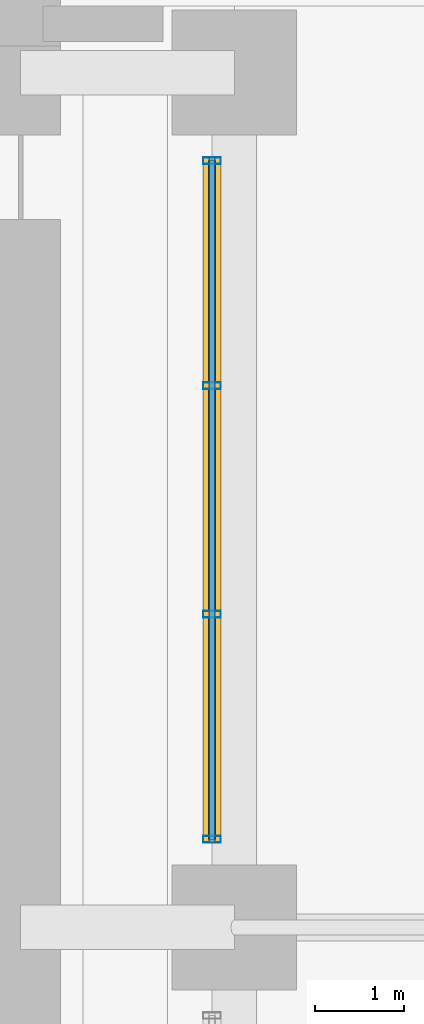
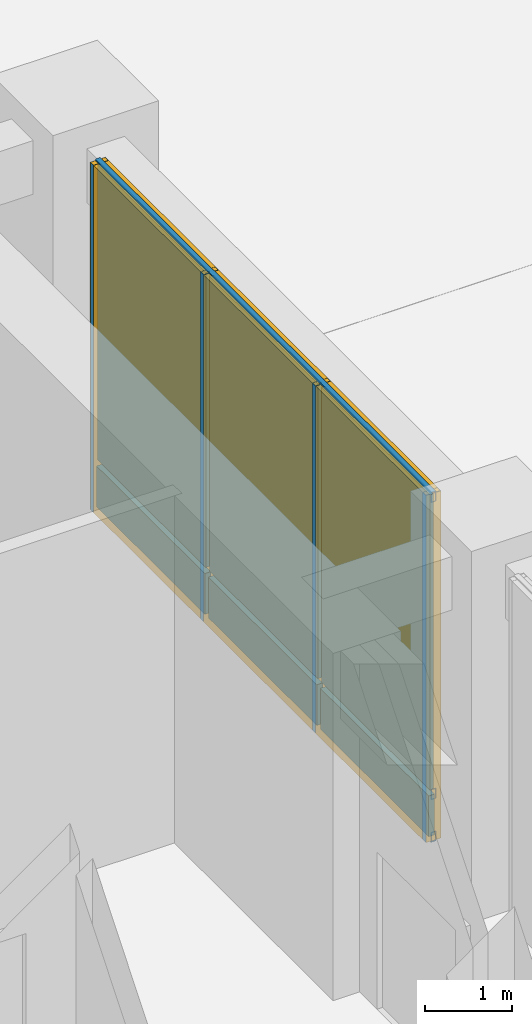
# One storey, part 11 of 24: 7 members, 6 plates, 1 curtain wall.
"""IFC4 building model written with IfcOpenShell, lengths in metres."""

from ifc_helpers import new_model, si_unit, direction, frame, frame_2d, origin, origin_2d, place, context, subcontext, project, spatial, rectangle, hollow_rectangle, extrude, material, layer, layer_set, material_profile, profile_set, type_object, element, aggregate, save


model = new_model("IFC4")

# Units and contexts
model_context = context("Model", 3, precision=1e-05, world=origin(), true_north=direction((0.0, 1.0)))
body_context = subcontext(model_context, "Body", "Model", "MODEL_VIEW")
ifc_project = project(units=[si_unit("LENGTHUNIT", "METRE"), si_unit("AREAUNIT", "SQUARE_METRE"), si_unit("VOLUMEUNIT", "CUBIC_METRE"), si_unit("PLANEANGLEUNIT", "RADIAN"), si_unit("MASSUNIT", "GRAM", prefix="KILO")], contexts=[model_context])

# Member
ifc_material_1 = material(Name="Anodized Aluminium 6063-T6", Category="aluminium")
ifc_material_profile_1 = material_profile(ifc_material_1, hollow_rectangle(XDim=0.074951171875, YDim=0.199951171875, WallThickness=0.00390625, at=origin_2d()), Name="Anodized Aluminium 6063-T6")
ifc_profile_set_1 = profile_set([ifc_material_profile_1], Name="Anodized Aluminium 6063-T6")
member_type_1 = type_object("IfcMemberType", Name="Curtain Wall Mullion 200", PredefinedType="MULLION", material=ifc_profile_set_1)
site_placement = place(None, origin())
building_placement = place(site_placement, origin())
storey_placement = place(building_placement, origin())
member_1_placement = place(storey_placement, frame((18.949951171875, 38.639892578125, 0.0), z_axis=(0.0, 0.0, 1.0), x_axis=(0.0, 1.0, 0.0)))
member_1 = element("IfcMember", 1, at=member_1_placement, type_object=member_type_1, Name="Curtain Wall Mullion CW-L00-LOB-S4-M01", PredefinedType="MULLION", context=body_context, shape_type="SweptSolid", body=[
    extrude(hollow_rectangle(XDim=0.074951171875, YDim=0.199951171875, WallThickness=0.00390625, at=origin_2d()), origin(), (0.0, 0.0, 1.0), 4.860107421875),
])

member_2_placement = place(storey_placement, frame((18.949951171875, 41.166748046875, 0.0), z_axis=(0.0, 0.0, 1.0), x_axis=(0.0, 1.0, 0.0)))
member_2 = element("IfcMember", 2, at=member_2_placement, type_object=member_type_1, Name="Curtain Wall Mullion CW-L00-LOB-S4-M02", PredefinedType="MULLION", context=body_context, shape_type="SweptSolid", body=[
    extrude(hollow_rectangle(XDim=0.074951171875, YDim=0.199951171875, WallThickness=0.00390625, at=origin_2d()), origin(), (0.0, 0.0, 1.0), 4.860107421875),
])

member_3_placement = place(storey_placement, frame((18.949951171875, 43.7333984375, 0.0), z_axis=(0.0, 0.0, 1.0), x_axis=(0.0, 1.0, 0.0)))
member_3 = element("IfcMember", 3, at=member_3_placement, type_object=member_type_1, Name="Curtain Wall Mullion CW-L00-LOB-S4-M03", PredefinedType="MULLION", context=body_context, shape_type="SweptSolid", body=[
    extrude(hollow_rectangle(XDim=0.074951171875, YDim=0.199951171875, WallThickness=0.00390625, at=origin_2d()), origin(), (0.0, 0.0, 1.0), 4.860107421875),
])

member_4_placement = place(storey_placement, frame((18.949951171875, 46.260009765625, 0.0), z_axis=(0.0, 0.0, 1.0), x_axis=(0.0, 1.0, 0.0)))
member_4 = element("IfcMember", 4, at=member_4_placement, type_object=member_type_1, Name="Curtain Wall Mullion CW-L00-LOB-S4-M04", PredefinedType="MULLION", context=body_context, shape_type="SweptSolid", body=[
    extrude(hollow_rectangle(XDim=0.074951171875, YDim=0.199951171875, WallThickness=0.00390625, at=origin_2d()), origin(), (0.0, 0.0, 1.0), 4.860107421875),
])

ifc_material_profile_2 = material_profile(ifc_material_1, hollow_rectangle(XDim=0.06494140625, YDim=0.139892578125, WallThickness=0.00341796875, at=origin_2d()), Name="Anodized Aluminium 6063-T6")
ifc_profile_set_2 = profile_set([ifc_material_profile_2], Name="Anodized Aluminium 6063-T6")
member_type_2 = type_object("IfcMemberType", Name="Curtain Wall Transom 140", PredefinedType="USERDEFINED", material=ifc_profile_set_2)
member_5_placement = place(storey_placement, frame((18.949951171875, 38.60009765625, 0.050048828125), z_axis=(0.0, 1.0, 0.0), x_axis=(-1.0, 0.0, 0.0)))
member_5 = element("IfcMember", 5, at=member_5_placement, type_object=member_type_2, Name="Curtain Wall Transom CW-L00-LOB-S4-T01", ObjectType="TRANSOM", PredefinedType="USERDEFINED", context=body_context, shape_type="SweptSolid", body=[
    extrude(hollow_rectangle(XDim=0.06494140625, YDim=0.139892578125, WallThickness=0.00341796875, at=origin_2d()), origin(), (0.0, 0.0, 1.0), 7.699951171875),
])

member_6_placement = place(storey_placement, frame((18.949951171875, 38.60009765625, 0.64990234375), z_axis=(0.0, 1.0, 0.0), x_axis=(-1.0, 0.0, 0.0)))
member_6 = element("IfcMember", 6, at=member_6_placement, type_object=member_type_2, Name="Curtain Wall Transom CW-L00-LOB-S4-T02", ObjectType="TRANSOM", PredefinedType="USERDEFINED", context=body_context, shape_type="SweptSolid", body=[
    extrude(hollow_rectangle(XDim=0.06494140625, YDim=0.139892578125, WallThickness=0.00341796875, at=origin_2d()), origin(), (0.0, 0.0, 1.0), 7.699951171875),
])

member_7_placement = place(storey_placement, frame((18.949951171875, 38.60009765625, 4.81005859375), z_axis=(0.0, 1.0, 0.0), x_axis=(-1.0, 0.0, 0.0)))
member_7 = element("IfcMember", 7, at=member_7_placement, type_object=member_type_2, Name="Curtain Wall Transom CW-L00-LOB-S4-T03", ObjectType="TRANSOM", PredefinedType="USERDEFINED", context=body_context, shape_type="SweptSolid", body=[
    extrude(hollow_rectangle(XDim=0.06494140625, YDim=0.139892578125, WallThickness=0.00341796875, at=origin_2d()), origin(), (0.0, 0.0, 1.0), 7.699951171875),
])

# Plate
ifc_material_2 = material(Name="Bird-Friendly Fritted Triple Glazing", Category="glass")
ifc_layer_1 = layer(ifc_material_2, 0.052001953125, Name="Bird-Friendly Fritted Triple Glazing")
ifc_layer_set_1 = layer_set([ifc_layer_1], Name="Bird-Friendly Fritted Triple Glazing")
plate_type_1 = type_object("IfcPlateType", Name="Plate CWGlazing 52", PredefinedType="CURTAIN_PANEL", material=ifc_layer_set_1)
plate_1_placement = place(storey_placement, frame((18.949951171875, 39.88330078125, 0.68994140625), z_axis=(0.0, 0.0, 1.0), x_axis=(0.0, 1.0, 0.0)))
plate_1 = element("IfcPlate", 8, at=plate_1_placement, type_object=plate_type_1, Name="Vision Glazing Panel CW-L00-LOB-S4-GL01", PredefinedType="CURTAIN_PANEL", context=body_context, shape_type="SweptSolid", body=[
    extrude(rectangle(XDim=2.48681640625, YDim=0.052001953125, at=origin_2d()), origin(), (0.0, 0.0, 1.0), 4.1298828125),
])

plate_2_placement = place(storey_placement, frame((18.949951171875, 42.449951171875, 0.68994140625), z_axis=(0.0, 0.0, 1.0), x_axis=(0.0, 1.0, 0.0)))
plate_2 = element("IfcPlate", 9, at=plate_2_placement, type_object=plate_type_1, Name="Vision Glazing Panel CW-L00-LOB-S4-GL02", PredefinedType="CURTAIN_PANEL", context=body_context, shape_type="SweptSolid", body=[
    extrude(rectangle(XDim=2.48681640625, YDim=0.052001953125, at=origin_2d()), origin(), (0.0, 0.0, 1.0), 4.1298828125),
])

plate_3_placement = place(storey_placement, frame((18.949951171875, 45.0166015625, 0.68994140625), z_axis=(0.0, 0.0, 1.0), x_axis=(0.0, 1.0, 0.0)))
plate_3 = element("IfcPlate", 10, at=plate_3_placement, type_object=plate_type_1, Name="Vision Glazing Panel CW-L00-LOB-S4-GL03", PredefinedType="CURTAIN_PANEL", context=body_context, shape_type="SweptSolid", body=[
    extrude(rectangle(XDim=2.48681640625, YDim=0.052001953125, at=origin_2d()), origin(), (0.0, 0.0, 1.0), 4.1298828125),
])

ifc_material_3 = material(Name="Insulated Aluminium Spandrel Panel", Category="aluminium")
ifc_layer_2 = layer(ifc_material_3, 0.080078125, Name="Insulated Aluminium Spandrel Panel")
ifc_layer_set_2 = layer_set([ifc_layer_2], Name="Insulated Aluminium Spandrel Panel")
plate_type_2 = type_object("IfcPlateType", Name="Plate CWSpandrel 80", PredefinedType="SHEET", material=ifc_layer_set_2)
plate_4_placement = place(storey_placement, frame((18.949951171875, 39.88330078125, 0.0400390625), z_axis=(0.0, 0.0, 1.0), x_axis=(0.0, 1.0, 0.0)))
plate_4 = element("IfcPlate", 11, at=plate_4_placement, type_object=plate_type_2, Name="Spandrel Panel CW-L00-LOB-S4-SP01", PredefinedType="SHEET", context=body_context, shape_type="SweptSolid", body=[
    extrude(rectangle(XDim=2.48681640625, YDim=0.080078125, at=origin_2d()), origin(), (0.0, 0.0, 1.0), 0.570068359375),
])

plate_5_placement = place(storey_placement, frame((18.949951171875, 42.449951171875, 0.0400390625), z_axis=(0.0, 0.0, 1.0), x_axis=(0.0, 1.0, 0.0)))
plate_5 = element("IfcPlate", 12, at=plate_5_placement, type_object=plate_type_2, Name="Spandrel Panel CW-L00-LOB-S4-SP02", PredefinedType="SHEET", context=body_context, shape_type="SweptSolid", body=[
    extrude(rectangle(XDim=2.48681640625, YDim=0.080078125, at=origin_2d()), origin(), (0.0, 0.0, 1.0), 0.570068359375),
])

plate_6_placement = place(storey_placement, frame((18.949951171875, 45.0166015625, 0.0400390625), z_axis=(0.0, 0.0, 1.0), x_axis=(0.0, 1.0, 0.0)))
plate_6 = element("IfcPlate", 13, at=plate_6_placement, type_object=plate_type_2, Name="Spandrel Panel CW-L00-LOB-S4-SP03", PredefinedType="SHEET", context=body_context, shape_type="SweptSolid", body=[
    extrude(rectangle(XDim=2.48681640625, YDim=0.080078125, at=origin_2d()), origin(), (0.0, 0.0, 1.0), 0.570068359375),
])

# Site, building, storey
site = spatial("IfcSite", under=ifc_project, at=site_placement, CompositionType="ELEMENT")
building = spatial("IfcBuilding", under=site, at=building_placement, Name="Norrvale University Quadrangle", CompositionType="ELEMENT")
storey = spatial("IfcBuildingStorey", under=building, at=storey_placement, Name="L00", CompositionType="ELEMENT", Elevation=0.0)

# Curtain wall
ifc_material_4 = material(Name="Anodized Aluminium and Triple Glazing", Category="glass")
curtain_wall_type = type_object("IfcCurtainWallType", Name="Curtain Wall System 1 Pilotis Lobby", PredefinedType="NOTDEFINED", material=ifc_material_4)
curtain_wall_placement = place(storey_placement, frame((18.949951171875, 38.60009765625, 0.0), z_axis=(0.0, 0.0, 1.0), x_axis=(0.0, 1.0, 0.0)))
curtain_wall = element("IfcCurtainWall", 14, at=curtain_wall_placement, inside=storey, type_object=curtain_wall_type, Name="Curtain Wall CW System 1 Pilotis Lobby CW-L00-LOB-S4", PredefinedType="NOTDEFINED", context=body_context, shape_type="SweptSolid", body=[
    extrude(rectangle(XDim=7.699951171875, YDim=0.199951171875, at=frame_2d((3.85009765625, 0.0))), origin(), (0.0, 0.0, 1.0), 4.860107421875),
])

aggregate(curtain_wall, [member_1, member_2, member_3, member_4, member_5, member_6, member_7, plate_4, plate_1, plate_5, plate_2, plate_6, plate_3])

save(model, "model.ifc")
